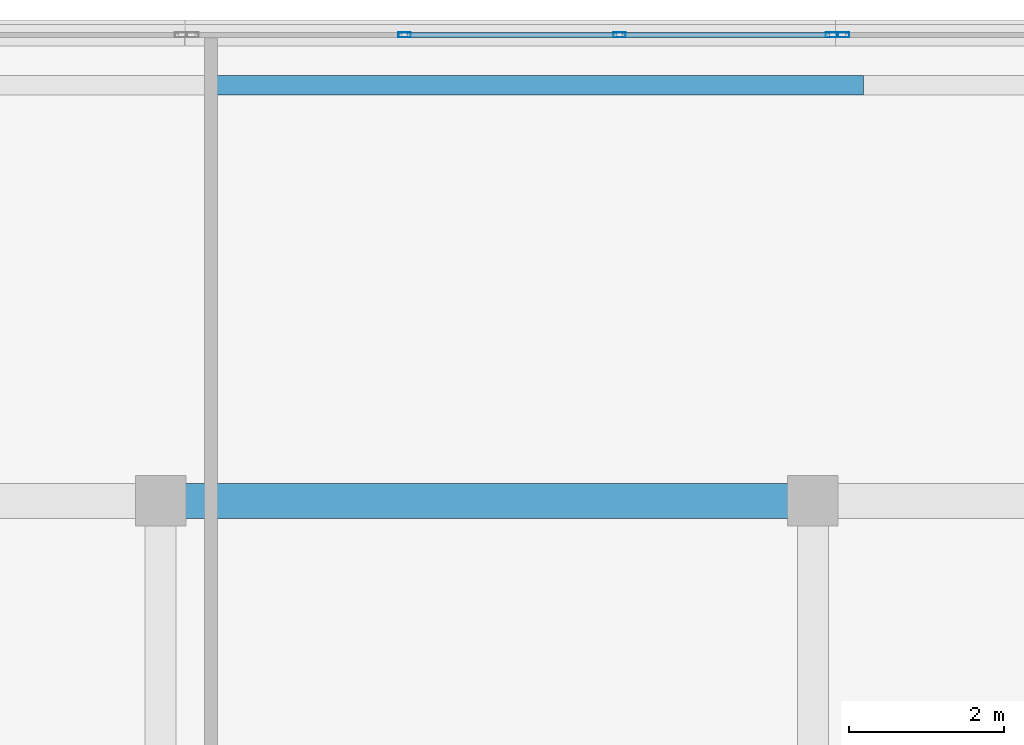
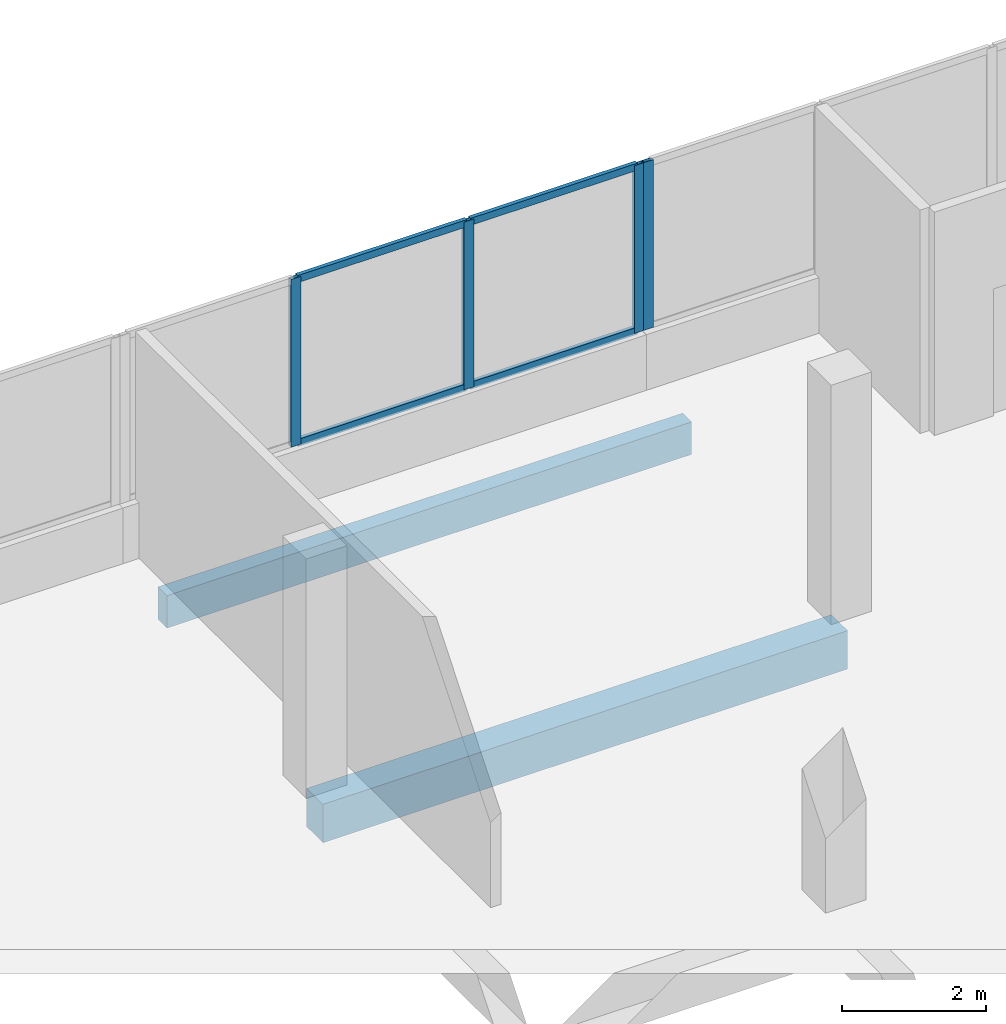
# One storey, part 58 of 76: 8 members, 2 beams, 2 elements without a shape of their own.
"""IFC4 building model written with IfcOpenShell, lengths in metres."""

from ifc_helpers import new_model, si_unit, direction, frame, origin, origin_2d, place, context, subcontext, project, spatial, rectangle, hollow_rectangle, extrude, material, material_profile, profile_set, type_object, element, aggregate, save


model = new_model("IFC4")

# Units and contexts
model_context = context("Model", 3, precision=1e-05, world=origin(), true_north=direction((0.0, 1.0)))
body_context = subcontext(model_context, "Body", "Model", "MODEL_VIEW")
ifc_project = project(units=[si_unit("LENGTHUNIT", "METRE"), si_unit("AREAUNIT", "SQUARE_METRE"), si_unit("VOLUMEUNIT", "CUBIC_METRE"), si_unit("PLANEANGLEUNIT", "RADIAN"), si_unit("MASSUNIT", "GRAM", prefix="KILO")], contexts=[model_context])

# Site, building, storey
site_placement = place(None, origin())
site = spatial("IfcSite", under=ifc_project, at=site_placement, CompositionType="ELEMENT")
building_placement = place(site_placement, origin())
building = spatial("IfcBuilding", under=site, at=building_placement, Name="Selatvlak General Hospital", CompositionType="ELEMENT")
storey_placement = place(building_placement, frame((0.0, 0.0, 27.300048828125)))
storey = spatial("IfcBuildingStorey", under=building, at=storey_placement, Name="L06", CompositionType="ELEMENT", Elevation=27.300048828125)

# Beams
ifc_material_1 = material(Name="Concrete C40/50", Category="concrete")
ifc_material_profile_1 = material_profile(ifc_material_1, rectangle(XDim=0.449951171875, YDim=0.64990234375, at=origin_2d()), Name="RC-BM 450x650")
ifc_profile_set_1 = profile_set([ifc_material_profile_1], Name="Concrete C40/50")
beam_type_1 = type_object("IfcBeamType", Name="BM-G04", PredefinedType="BEAM", material=ifc_profile_set_1)
beam_1_placement = place(storey_placement, frame((156.550048828125, 114.0, -0.60009765625), z_axis=(1.0, 0.0, 0.0), x_axis=(0.0, 1.0, 0.0)))
element("IfcBeam", 1, at=beam_1_placement, inside=storey, type_object=beam_type_1, Name="Beam BMR-L06-2227", PredefinedType="BEAM", context=body_context, shape_type="SweptSolid", body=[
    extrude(rectangle(XDim=0.449951171875, YDim=0.64990234375, at=origin_2d()), origin(), (0.0, 0.0, 1.0), 8.39990234375),
])
ifc_material_profile_2 = material_profile(ifc_material_1, rectangle(XDim=0.25, YDim=0.550048828125, at=origin_2d()), Name="RC-SP 250x550")
ifc_profile_set_2 = profile_set([ifc_material_profile_2], Name="Concrete C40/50")
beam_type_2 = type_object("IfcBeamType", Name="BM-SP2", PredefinedType="SPANDREL", material=ifc_profile_set_2)
beam_2_placement = place(storey_placement, frame((157.199951171875, 119.35009765625, -0.550048828125), z_axis=(1.0, 0.0, 0.0), x_axis=(0.0, 1.0, 0.0)))
element("IfcBeam", 2, at=beam_2_placement, inside=storey, type_object=beam_type_2, Name="Beam BMR-L06-2242", PredefinedType="SPANDREL", context=body_context, shape_type="SweptSolid", body=[
    extrude(rectangle(XDim=0.25, YDim=0.550048828125, at=origin_2d()), origin(), (0.0, 0.0, 1.0), 8.400146484375),
])

# Curtain wall, members
ifc_material_2 = material(Name="Solar-control Low-E double glazing", Category="glass")
curtain_wall_type_1 = type_object("IfcCurtainWallType", Name="CW-CW-02", PredefinedType="USERDEFINED", material=ifc_material_2)
curtain_wall_1_placement = place(storey_placement, origin())
curtain_wall_1 = element("IfcCurtainWall", 3, at=curtain_wall_1_placement, inside=storey, type_object=curtain_wall_type_1, Name="Glazed facade curtain wall CW-L06-0614", ObjectType="UNITISED CURTAIN WALL", PredefinedType="USERDEFINED")
ifc_material_3 = material(Name="Dark anodised aluminium mullion", Category="aluminium")
ifc_material_profile_3 = material_profile(ifc_material_3, hollow_rectangle(XDim=0.06494140625, YDim=0.159912109375, WallThickness=0.00390625, at=origin_2d()), Name="AL-MUL 65x160x4")
ifc_profile_set_3 = profile_set([ifc_material_profile_3], Name="Dark anodised aluminium mullion")
member_type_1 = type_object("IfcMemberType", Name="CWM-01", PredefinedType="MULLION", material=ifc_profile_set_3)
member_1_placement = place(storey_placement, frame((159.693359375, 120.0, 0.93994140625), z_axis=(0.0, 0.0, 1.0), x_axis=(0.0, 1.0, 0.0)))
member_1 = element("IfcMember", 4, at=member_1_placement, type_object=member_type_1, Name="CW-02 mullion 2", PredefinedType="MULLION", context=body_context, shape_type="SweptSolid", body=[
    extrude(hollow_rectangle(XDim=0.06494140625, YDim=0.159912109375, WallThickness=0.00390625, at=origin_2d()), origin(), (0.0, 0.0, 1.0), 2.840087890625),
])
member_2_placement = place(storey_placement, frame((162.459716796875, 120.0, 0.93994140625), z_axis=(0.0, 0.0, 1.0), x_axis=(0.0, 1.0, 0.0)))
member_2 = element("IfcMember", 5, at=member_2_placement, type_object=member_type_1, Name="CW-02 mullion 3", PredefinedType="MULLION", context=body_context, shape_type="SweptSolid", body=[
    extrude(hollow_rectangle(XDim=0.06494140625, YDim=0.159912109375, WallThickness=0.00390625, at=origin_2d()), origin(), (0.0, 0.0, 1.0), 2.840087890625),
])
member_3_placement = place(storey_placement, frame((165.193603515625, 120.0, 0.93994140625), z_axis=(0.0, 0.0, 1.0), x_axis=(0.0, 1.0, 0.0)))
member_3 = element("IfcMember", 6, at=member_3_placement, type_object=member_type_1, Name="CW-02 mullion 4", PredefinedType="MULLION", context=body_context, shape_type="SweptSolid", body=[
    extrude(hollow_rectangle(XDim=0.06494140625, YDim=0.159912109375, WallThickness=0.00390625, at=origin_2d()), origin(), (0.0, 0.0, 1.0), 2.840087890625),
])

# Curtain wall, member
curtain_wall_type_2 = type_object("IfcCurtainWallType", Name="CW-CW-01", PredefinedType="USERDEFINED", material=ifc_material_2)
curtain_wall_2_placement = place(storey_placement, origin())
curtain_wall_2 = element("IfcCurtainWall", 7, at=curtain_wall_2_placement, inside=storey, type_object=curtain_wall_type_2, Name="Glazed facade curtain wall CW-L06-0615", ObjectType="UNITISED CURTAIN WALL", PredefinedType="USERDEFINED")
member_4_placement = place(storey_placement, frame((165.33837890625, 120.0, 0.93994140625), z_axis=(0.0, 0.0, 1.0), x_axis=(0.0, 1.0, 0.0)))
member_4 = element("IfcMember", 8, at=member_4_placement, type_object=member_type_1, Name="CW-01 mullion 1", PredefinedType="MULLION", context=body_context, shape_type="SweptSolid", body=[
    extrude(hollow_rectangle(XDim=0.06494140625, YDim=0.159912109375, WallThickness=0.00390625, at=origin_2d()), origin(), (0.0, 0.0, 1.0), 2.840087890625),
])
aggregate(curtain_wall_2, [member_4])

# Member
ifc_material_profile_4 = material_profile(ifc_material_3, hollow_rectangle(XDim=0.06494140625, YDim=0.1201171875, WallThickness=0.00390625, at=origin_2d()), Name="AL-TRN 65x120x4")
ifc_profile_set_4 = profile_set([ifc_material_profile_4], Name="Dark anodised aluminium mullion")
member_type_2 = type_object("IfcMemberType", Name="CWT-01", PredefinedType="USERDEFINED", material=ifc_profile_set_4)
member_5_placement = place(storey_placement, frame((159.725830078125, 120.0, 0.972412109375), z_axis=(1.0, 0.0, 0.0), x_axis=(0.0, 1.0, 0.0)))
member_5 = element("IfcMember", 9, at=member_5_placement, type_object=member_type_2, Name="CW-02 transom 2.1", ObjectType="TRANSOM", PredefinedType="USERDEFINED", context=body_context, shape_type="SweptSolid", body=[
    extrude(hollow_rectangle(XDim=0.06494140625, YDim=0.1201171875, WallThickness=0.00390625, at=origin_2d()), origin(), (0.0, 0.0, 1.0), 2.701416015625),
])

member_6_placement = place(storey_placement, frame((159.725830078125, 120.0, 3.74755859375), z_axis=(1.0, 0.0, 0.0), x_axis=(0.0, 1.0, 0.0)))
member_6 = element("IfcMember", 10, at=member_6_placement, type_object=member_type_2, Name="CW-02 transom 2.2", ObjectType="TRANSOM", PredefinedType="USERDEFINED", context=body_context, shape_type="SweptSolid", body=[
    extrude(hollow_rectangle(XDim=0.06494140625, YDim=0.1201171875, WallThickness=0.00390625, at=origin_2d()), origin(), (0.0, 0.0, 1.0), 2.701416015625),
])

member_7_placement = place(storey_placement, frame((162.4921875, 120.0, 0.972412109375), z_axis=(1.0, 0.0, 0.0), x_axis=(0.0, 1.0, 0.0)))
member_7 = element("IfcMember", 11, at=member_7_placement, type_object=member_type_2, Name="CW-02 transom 3.1", ObjectType="TRANSOM", PredefinedType="USERDEFINED", context=body_context, shape_type="SweptSolid", body=[
    extrude(hollow_rectangle(XDim=0.06494140625, YDim=0.1201171875, WallThickness=0.00390625, at=origin_2d()), origin(), (0.0, 0.0, 1.0), 2.668701171875),
])

member_8_placement = place(storey_placement, frame((162.4921875, 120.0, 3.74755859375), z_axis=(1.0, 0.0, 0.0), x_axis=(0.0, 1.0, 0.0)))
member_8 = element("IfcMember", 12, at=member_8_placement, type_object=member_type_2, Name="CW-02 transom 3.2", ObjectType="TRANSOM", PredefinedType="USERDEFINED", context=body_context, shape_type="SweptSolid", body=[
    extrude(hollow_rectangle(XDim=0.06494140625, YDim=0.1201171875, WallThickness=0.00390625, at=origin_2d()), origin(), (0.0, 0.0, 1.0), 2.668701171875),
])

aggregate(curtain_wall_1, [member_1, member_2, member_3, member_5, member_6, member_7, member_8])

save(model, "model.ifc")
